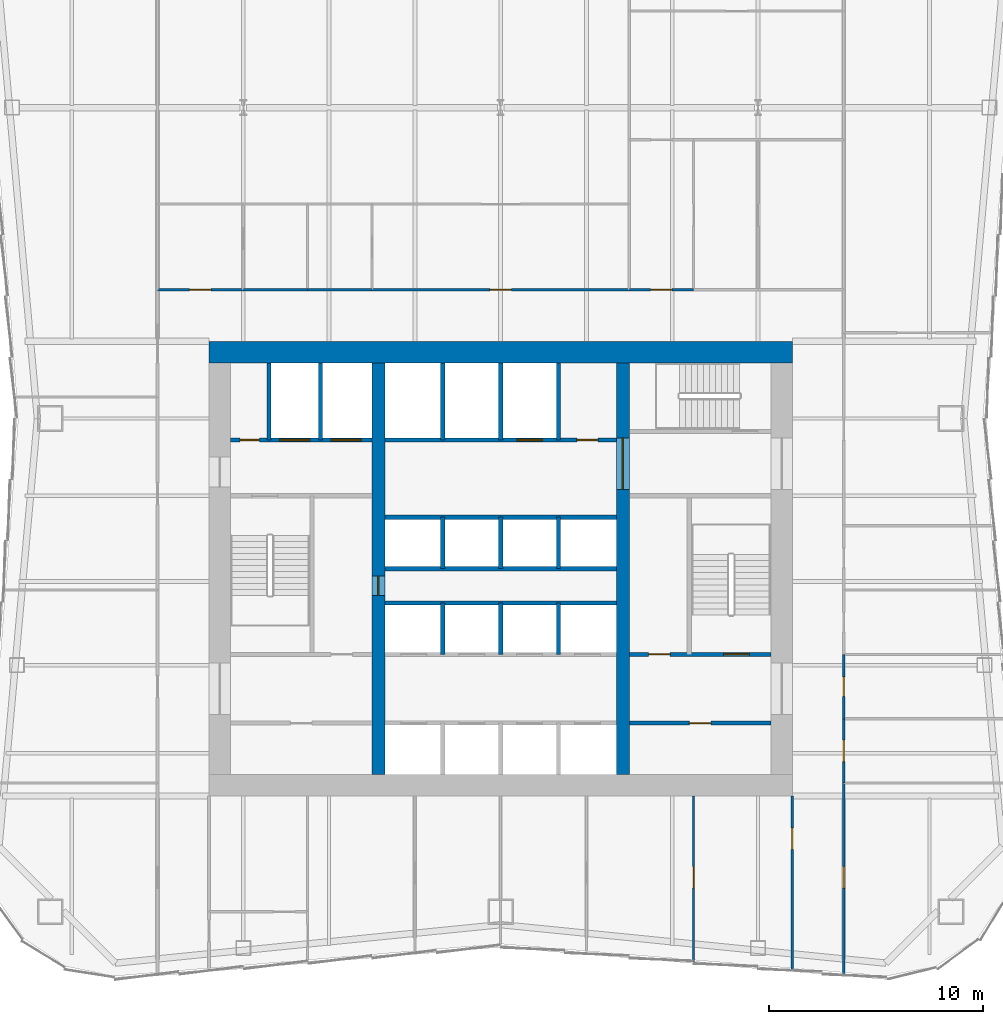
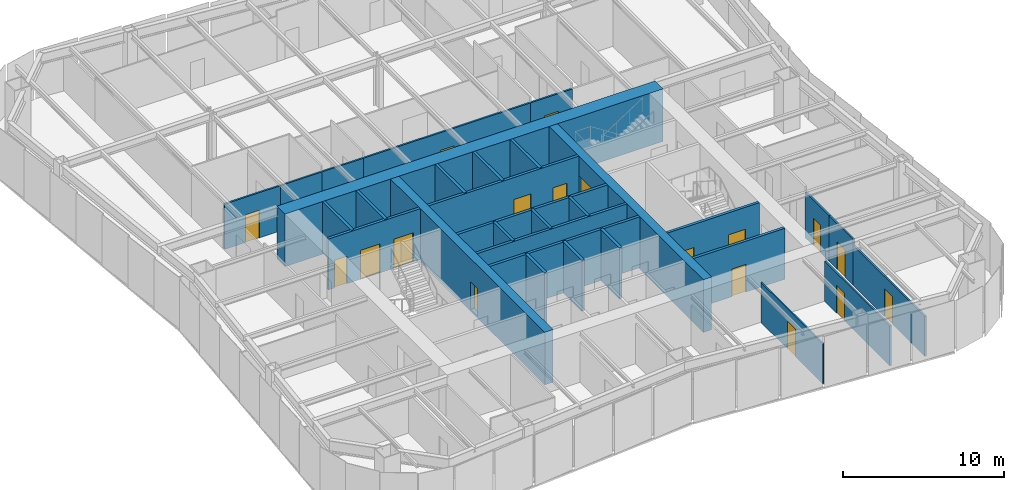
# One storey, part 5 of 8: 31 walls, 18 doors, 18 openings.
"""IFC4 building model written with IfcOpenShell, lengths in metres."""

from ifc_helpers import new_model, si_unit, direction, frame, frame_2d, origin, place, context, subcontext, project, spatial, rectangle, extrude, material, layer, layer_set, type_object, element, fill, save


model = new_model("IFC4")

# Units and contexts
model_context = context("Model", 3, precision=1e-05, world=origin(), true_north=direction((0.0, 1.0)))
body_context = subcontext(model_context, "Body", "Model", "MODEL_VIEW")
ifc_project = project(units=[si_unit("LENGTHUNIT", "METRE"), si_unit("AREAUNIT", "SQUARE_METRE"), si_unit("VOLUMEUNIT", "CUBIC_METRE"), si_unit("PLANEANGLEUNIT", "RADIAN"), si_unit("MASSUNIT", "GRAM", prefix="KILO")], contexts=[model_context])

# Site, building, storey
site_placement = place(None, origin())
site = spatial("IfcSite", under=ifc_project, at=site_placement, CompositionType="ELEMENT")
building_placement = place(site_placement, origin())
building = spatial("IfcBuilding", under=site, at=building_placement, Name="Verdant Reach Tower", CompositionType="ELEMENT")
storey_placement = place(building_placement, frame((0.0, 0.0, 154.0)))
storey = spatial("IfcBuildingStorey", under=building, at=storey_placement, Name="L35", CompositionType="ELEMENT", Elevation=154.0)

# Wall, opening, door
ifc_material_1 = material(Name="Gypsum board on steel studs", Category="steel")
ifc_layer_1 = layer(ifc_material_1, 0.199951171875)
ifc_layer_set_1 = layer_set([ifc_layer_1], Name="CO-WALL-ROOM")
wall_type_1 = type_object("IfcWallType", Name="CO-WALL-ROOM", PredefinedType="PARTITIONING", material=ifc_layer_set_1)
wall_1_placement = place(storey_placement, frame((6.0, 20.800048828125, 0.0), z_axis=(0.0, 0.0, 1.0), x_axis=(1.0, 0.0, 0.0)))
wall_1 = element("IfcWall", 1, at=wall_1_placement, inside=storey, type_object=wall_type_1, Name="Core partition, L35", PredefinedType="PARTITIONING", context=body_context, shape_type="SweptSolid", body=[
    extrude(rectangle(XDim=6.60009765625, YDim=0.199951171875, at=frame_2d((3.300048828125, 0.0))), origin(), (0.0, 0.0, 1.0), 3.8701171875),
])
opening_1_placement = place(wall_1_placement, frame((2.800048828125, 0.0, 0.0)))
opening_1 = element("IfcOpeningElement", 2, at=opening_1_placement, cuts=wall_1, Name="Opening CD", PredefinedType="OPENING", context=body_context, shape_type="SweptSolid", body=[
    extrude(rectangle(XDim=1.0, YDim=2.10009765625, at=frame_2d((0.5, 1.050048828125))), frame((0.0, 0.10986328125, 0.0), z_axis=(0.0, -1.0, 0.0), x_axis=(1.0, 0.0, 0.0)), (0.0, 0.0, 1.0), 0.219970703125),
])
ifc_material_2 = material(Name="Timber", Category="wood")
door_type_1 = type_object("IfcDoorType", Name="CO-DOOR-ROOM", OperationType="NOTDEFINED", PredefinedType="DOOR", material=ifc_material_2)
door_1_placement = place(opening_1_placement, origin())
door_1 = element("IfcDoor", 3, at=door_1_placement, inside=storey, type_object=door_type_1, Name="Core room door, L35", OperationType="SINGLE_SWING_RIGHT", OverallHeight=2.10009765625, OverallWidth=1.0, PredefinedType="DOOR", context=body_context, shape_type="SweptSolid", body=[
    extrude(rectangle(XDim=1.0, YDim=2.10009765625, at=frame_2d((0.5, 1.050048828125))), frame((0.0, 0.02490234375, 0.0), z_axis=(0.0, -1.0, 0.0), x_axis=(1.0, 0.0, 0.0)), (0.0, 0.0, 1.0), 0.050048828125),
])
fill(opening_1, door_1)

# Walls
ifc_material_3 = material(Name="Concrete C40/50", Category="concrete")
ifc_layer_2 = layer(ifc_material_3, 0.199951171875)
ifc_layer_set_2 = layer_set([ifc_layer_2], Name="CO-WALL-SHAFT")
wall_type_2 = type_object("IfcWallType", Name="CO-WALL-SHAFT", PredefinedType="PARTITIONING", material=ifc_layer_set_2)
for number, where, z_axis, x_axis, name in (
    (4, (-5.39990234375, 26.39990234375, 0.0), (0.0, 0.0, 1.0), (1.0, 0.0, 0.0), "Lift shaft wall, L35"),
    (5, (-5.39990234375, 28.0, 0.0), (0.0, 0.0, 1.0), (1.0, 0.0, 0.0), "Lift shaft wall, L35"),
    (6, (-5.39990234375, 30.39990234375, 0.0), (0.0, 0.0, 1.0), (1.0, 0.0, 0.0), "Lift shaft wall, L35"),
):
    element("IfcWall", number, at=place(storey_placement, frame(where, z_axis=z_axis, x_axis=x_axis)), inside=storey, type_object=wall_type_2, Name=name, PredefinedType="PARTITIONING", context=body_context, shape_type="SweptSolid", body=[
        extrude(rectangle(XDim=10.7998046875, YDim=0.199951171875, at=frame_2d((5.39990234375, 0.0))), origin(), (0.0, 0.0, 1.0), 3.8701171875),
    ])

# Wall, openings, doors
wall_2_placement = place(storey_placement, frame((-12.60009765625, 34.0, 0.0), z_axis=(0.0, 0.0, 1.0), x_axis=(1.0, 0.0, 0.0)))
wall_2 = element("IfcWall", 7, at=wall_2_placement, inside=storey, type_object=wall_type_2, Name="Lift shaft wall, L35", PredefinedType="PARTITIONING", context=body_context, shape_type="SweptSolid", body=[
    extrude(rectangle(XDim=6.60009765625, YDim=0.199951171875, at=frame_2d((3.300048828125, 0.0))), origin(), (0.0, 0.0, 1.0), 3.8701171875),
])
opening_2_placement = place(wall_2_placement, frame((4.699951171875, 0.0, 0.0)))
opening_2 = element("IfcOpeningElement", 8, at=opening_2_placement, cuts=wall_2, Name="Opening LD-F1", PredefinedType="OPENING", context=body_context, shape_type="SweptSolid", body=[
    extrude(rectangle(XDim=1.39990234375, YDim=2.199951171875, at=frame_2d((0.699951171875, 1.10009765625))), frame((0.0, 0.10986328125, 0.0), z_axis=(0.0, -1.0, 0.0), x_axis=(1.0, 0.0, 0.0)), (0.0, 0.0, 1.0), 0.219970703125),
])
opening_3_placement = place(wall_2_placement, frame((2.300048828125, 0.0, 0.0)))
opening_3 = element("IfcOpeningElement", 9, at=opening_3_placement, cuts=wall_2, Name="Opening LD-F2", PredefinedType="OPENING", context=body_context, shape_type="SweptSolid", body=[
    extrude(rectangle(XDim=1.39990234375, YDim=2.199951171875, at=frame_2d((0.699951171875, 1.10009765625))), frame((0.0, 0.10986328125, 0.0), z_axis=(0.0, -1.0, 0.0), x_axis=(1.0, 0.0, 0.0)), (0.0, 0.0, 1.0), 0.219970703125),
])
opening_4_placement = place(wall_2_placement, frame((0.449951171875, 0.0, 0.0)))
opening_4 = element("IfcOpeningElement", 10, at=opening_4_placement, cuts=wall_2, Name="Opening RD", PredefinedType="OPENING", context=body_context, shape_type="SweptSolid", body=[
    extrude(rectangle(XDim=0.89990234375, YDim=2.10009765625, at=frame_2d((0.449951171875, 1.050048828125))), frame((0.0, 0.10986328125, 0.0), z_axis=(0.0, -1.0, 0.0), x_axis=(1.0, 0.0, 0.0)), (0.0, 0.0, 1.0), 0.219970703125),
])
ifc_material_4 = material(Name="Stainless steel", Category="steel")
door_type_2 = type_object("IfcDoorType", Name="CO-DOOR-LANDING-FF", OperationType="SLIDING_TO_LEFT", PredefinedType="DOOR", material=ifc_material_4)
door_2_placement = place(opening_2_placement, origin())
door_2 = element("IfcDoor", 11, at=door_2_placement, inside=storey, type_object=door_type_2, Name="Landing door F1, L35", OperationType="SLIDING_TO_LEFT", OverallHeight=2.199951171875, OverallWidth=1.39990234375, PredefinedType="DOOR", context=body_context, shape_type="SweptSolid", body=[
    extrude(rectangle(XDim=1.39990234375, YDim=2.199951171875, at=frame_2d((0.699951171875, 1.10009765625))), frame((0.0, 0.02490234375, 0.0), z_axis=(0.0, -1.0, 0.0), x_axis=(1.0, 0.0, 0.0)), (0.0, 0.0, 1.0), 0.050048828125),
])
fill(opening_2, door_2)
door_3_placement = place(opening_3_placement, origin())
door_3 = element("IfcDoor", 12, at=door_3_placement, inside=storey, type_object=door_type_2, Name="Landing door F2, L35", OperationType="SLIDING_TO_LEFT", OverallHeight=2.199951171875, OverallWidth=1.39990234375, PredefinedType="DOOR", context=body_context, shape_type="SweptSolid", body=[
    extrude(rectangle(XDim=1.39990234375, YDim=2.199951171875, at=frame_2d((0.699951171875, 1.10009765625))), frame((0.0, 0.02490234375, 0.0), z_axis=(0.0, -1.0, 0.0), x_axis=(1.0, 0.0, 0.0)), (0.0, 0.0, 1.0), 0.050048828125),
])
fill(opening_3, door_3)
ifc_material_5 = material(Name="Steel", Category="steel")
door_type_3 = type_object("IfcDoorType", Name="CO-DOOR-RISER", OperationType="NOTDEFINED", PredefinedType="DOOR", material=ifc_material_5)
door_4_placement = place(opening_4_placement, origin())
door_4 = element("IfcDoor", 13, at=door_4_placement, inside=storey, type_object=door_type_3, Name="Core room door, L35", OperationType="SINGLE_SWING_RIGHT", OverallHeight=2.10009765625, OverallWidth=0.89990234375, PredefinedType="DOOR", context=body_context, shape_type="SweptSolid", body=[
    extrude(rectangle(XDim=0.89990234375, YDim=2.10009765625, at=frame_2d((0.449951171875, 1.050048828125))), frame((0.0, 0.02490234375, 0.0), z_axis=(0.0, -1.0, 0.0), x_axis=(1.0, 0.0, 0.0)), (0.0, 0.0, 1.0), 0.050048828125),
])
fill(opening_4, door_4)

wall_3_placement = place(storey_placement, frame((-5.39990234375, 34.0, 0.0), z_axis=(0.0, 0.0, 1.0), x_axis=(1.0, 0.0, 0.0)))
wall_3 = element("IfcWall", 14, at=wall_3_placement, inside=storey, type_object=wall_type_2, Name="Lift shaft wall, L35", PredefinedType="PARTITIONING", context=body_context, shape_type="SweptSolid", body=[
    extrude(rectangle(XDim=10.7998046875, YDim=0.199951171875, at=frame_2d((5.39990234375, 0.0))), origin(), (0.0, 0.0, 1.0), 3.8701171875),
])
opening_5_placement = place(wall_3_placement, frame((6.14990234375, 0.0, 0.0)))
opening_5 = element("IfcOpeningElement", 15, at=opening_5_placement, cuts=wall_3, Name="Opening LD-SL1", PredefinedType="OPENING", context=body_context, shape_type="SweptSolid", body=[
    extrude(rectangle(XDim=1.199951171875, YDim=2.199951171875, at=frame_2d((0.60009765625, 1.10009765625))), frame((0.0, 0.10986328125, 0.0), z_axis=(0.0, -1.0, 0.0), x_axis=(1.0, 0.0, 0.0)), (0.0, 0.0, 1.0), 0.219970703125),
])
opening_6_placement = place(wall_3_placement, frame((8.949951171875, 0.0, 0.0)))
opening_6 = element("IfcOpeningElement", 16, at=opening_6_placement, cuts=wall_3, Name="Opening CD", PredefinedType="OPENING", context=body_context, shape_type="SweptSolid", body=[
    extrude(rectangle(XDim=1.0, YDim=2.10009765625, at=frame_2d((0.5, 1.050048828125))), frame((0.0, 0.10986328125, 0.0), z_axis=(0.0, -1.0, 0.0), x_axis=(1.0, 0.0, 0.0)), (0.0, 0.0, 1.0), 0.219970703125),
])
door_type_4 = type_object("IfcDoorType", Name="CO-DOOR-LANDING", OperationType="SLIDING_TO_LEFT", PredefinedType="DOOR", material=ifc_material_4)
door_5_placement = place(opening_5_placement, origin())
door_5 = element("IfcDoor", 17, at=door_5_placement, inside=storey, type_object=door_type_4, Name="Landing door SL1, L35", OperationType="SLIDING_TO_LEFT", OverallHeight=2.199951171875, OverallWidth=1.199951171875, PredefinedType="DOOR", context=body_context, shape_type="SweptSolid", body=[
    extrude(rectangle(XDim=1.199951171875, YDim=2.199951171875, at=frame_2d((0.60009765625, 1.10009765625))), frame((0.0, 0.02490234375, 0.0), z_axis=(0.0, -1.0, 0.0), x_axis=(1.0, 0.0, 0.0)), (0.0, 0.0, 1.0), 0.050048828125),
])
fill(opening_5, door_5)
door_6_placement = place(opening_6_placement, origin())
door_6 = element("IfcDoor", 18, at=door_6_placement, inside=storey, type_object=door_type_1, Name="Core room door, L35", OperationType="SINGLE_SWING_LEFT", OverallHeight=2.10009765625, OverallWidth=1.0, PredefinedType="DOOR", context=body_context, shape_type="SweptSolid", body=[
    extrude(rectangle(XDim=1.0, YDim=2.10009765625, at=frame_2d((0.5, 1.050048828125))), frame((0.0, 0.02490234375, 0.0), z_axis=(0.0, -1.0, 0.0), x_axis=(1.0, 0.0, 0.0)), (0.0, 0.0, 1.0), 0.050048828125),
])
fill(opening_6, door_6)

# Walls
for number, where, z_axis, x_axis, name in (
    (19, (-10.800048828125, 34.0, 0.0), (0.0, 0.0, 1.0), (0.0, 1.0, 0.0), "Lift shaft wall, L35"),
    (20, (-8.39990234375, 34.0, 0.0), (0.0, 0.0, 1.0), (0.0, 1.0, 0.0), "Lift shaft wall, L35"),
):
    element("IfcWall", number, at=place(storey_placement, frame(where, z_axis=z_axis, x_axis=x_axis)), inside=storey, type_object=wall_type_2, Name=name, PredefinedType="PARTITIONING", context=body_context, shape_type="SweptSolid", body=[
        extrude(rectangle(XDim=3.60009765625, YDim=0.199951171875, at=frame_2d((1.800048828125, 0.0))), origin(), (0.0, 0.0, 1.0), 3.8701171875),
    ])
for number, where, z_axis, x_axis, name in (
    (21, (-2.699951171875, 24.0, 0.0), (0.0, 0.0, 1.0), (0.0, 1.0, 0.0), "Lift shaft wall, L35"),
    (22, (-2.699951171875, 28.0, 0.0), (0.0, 0.0, 1.0), (0.0, 1.0, 0.0), "Lift shaft wall, L35"),
):
    element("IfcWall", number, at=place(storey_placement, frame(where, z_axis=z_axis, x_axis=x_axis)), inside=storey, type_object=wall_type_2, Name=name, PredefinedType="PARTITIONING", context=body_context, shape_type="SweptSolid", body=[
        extrude(rectangle(XDim=2.39990234375, YDim=0.199951171875, at=frame_2d((1.199951171875, 0.0))), origin(), (0.0, 0.0, 1.0), 3.8701171875),
    ])
wall_4_placement = place(storey_placement, frame((-2.699951171875, 34.0, 0.0), z_axis=(0.0, 0.0, 1.0), x_axis=(0.0, 1.0, 0.0)))
element("IfcWall", 23, at=wall_4_placement, inside=storey, type_object=wall_type_2, Name="Lift shaft wall, L35", PredefinedType="PARTITIONING", context=body_context, shape_type="SweptSolid", body=[
    extrude(rectangle(XDim=3.60009765625, YDim=0.199951171875, at=frame_2d((1.800048828125, 0.0))), origin(), (0.0, 0.0, 1.0), 3.8701171875),
])
for number, where, z_axis, x_axis, name in (
    (24, (0.0, 24.0, 0.0), (0.0, 0.0, 1.0), (0.0, 1.0, 0.0), "Lift shaft wall, L35"),
    (25, (0.0, 28.0, 0.0), (0.0, 0.0, 1.0), (0.0, 1.0, 0.0), "Lift shaft wall, L35"),
):
    element("IfcWall", number, at=place(storey_placement, frame(where, z_axis=z_axis, x_axis=x_axis)), inside=storey, type_object=wall_type_2, Name=name, PredefinedType="PARTITIONING", context=body_context, shape_type="SweptSolid", body=[
        extrude(rectangle(XDim=2.39990234375, YDim=0.199951171875, at=frame_2d((1.199951171875, 0.0))), origin(), (0.0, 0.0, 1.0), 3.8701171875),
    ])
wall_5_placement = place(storey_placement, frame((0.0, 34.0, 0.0), z_axis=(0.0, 0.0, 1.0), x_axis=(0.0, 1.0, 0.0)))
element("IfcWall", 26, at=wall_5_placement, inside=storey, type_object=wall_type_2, Name="Lift shaft wall, L35", PredefinedType="PARTITIONING", context=body_context, shape_type="SweptSolid", body=[
    extrude(rectangle(XDim=3.60009765625, YDim=0.199951171875, at=frame_2d((1.800048828125, 0.0))), origin(), (0.0, 0.0, 1.0), 3.8701171875),
])
for number, where, z_axis, x_axis, name in (
    (27, (2.699951171875, 24.0, 0.0), (0.0, 0.0, 1.0), (0.0, 1.0, 0.0), "Lift shaft wall, L35"),
    (28, (2.699951171875, 28.0, 0.0), (0.0, 0.0, 1.0), (0.0, 1.0, 0.0), "Lift shaft wall, L35"),
):
    element("IfcWall", number, at=place(storey_placement, frame(where, z_axis=z_axis, x_axis=x_axis)), inside=storey, type_object=wall_type_2, Name=name, PredefinedType="PARTITIONING", context=body_context, shape_type="SweptSolid", body=[
        extrude(rectangle(XDim=2.39990234375, YDim=0.199951171875, at=frame_2d((1.199951171875, 0.0))), origin(), (0.0, 0.0, 1.0), 3.8701171875),
    ])
wall_6_placement = place(storey_placement, frame((2.699951171875, 34.0, 0.0), z_axis=(0.0, 0.0, 1.0), x_axis=(0.0, 1.0, 0.0)))
element("IfcWall", 29, at=wall_6_placement, inside=storey, type_object=wall_type_2, Name="Lift shaft wall, L35", PredefinedType="PARTITIONING", context=body_context, shape_type="SweptSolid", body=[
    extrude(rectangle(XDim=3.60009765625, YDim=0.199951171875, at=frame_2d((1.800048828125, 0.0))), origin(), (0.0, 0.0, 1.0), 3.8701171875),
])

# Wall, openings, doors
ifc_layer_3 = layer(ifc_material_3, 0.199951171875)
ifc_layer_set_3 = layer_set([ifc_layer_3], Name="CO-WALL-STAIR")
wall_type_3 = type_object("IfcWallType", Name="CO-WALL-STAIR", PredefinedType="PARTITIONING", material=ifc_layer_set_3)
wall_7_placement = place(storey_placement, frame((6.0, 24.0, 0.0), z_axis=(0.0, 0.0, 1.0), x_axis=(1.0, 0.0, 0.0)))
wall_7 = element("IfcWall", 30, at=wall_7_placement, inside=storey, type_object=wall_type_3, Name="Stair enclosure wall, L35", PredefinedType="PARTITIONING", context=body_context, shape_type="SweptSolid", body=[
    extrude(rectangle(XDim=6.60009765625, YDim=0.199951171875, at=frame_2d((3.300048828125, 0.0))), origin(), (0.0, 0.0, 1.0), 3.8701171875),
])
opening_7_placement = place(wall_7_placement, frame((0.89990234375, 0.0, 0.0)))
opening_7 = element("IfcOpeningElement", 31, at=opening_7_placement, cuts=wall_7, Name="Opening CD", PredefinedType="OPENING", context=body_context, shape_type="SweptSolid", body=[
    extrude(rectangle(XDim=1.0, YDim=2.10009765625, at=frame_2d((0.5, 1.050048828125))), frame((0.0, 0.10986328125, 0.0), z_axis=(0.0, -1.0, 0.0), x_axis=(1.0, 0.0, 0.0)), (0.0, 0.0, 1.0), 0.219970703125),
])
opening_8_placement = place(wall_7_placement, frame((4.39990234375, 0.0, 0.0)))
opening_8 = element("IfcOpeningElement", 32, at=opening_8_placement, cuts=wall_7, Name="Opening SD", PredefinedType="OPENING", context=body_context, shape_type="SweptSolid", body=[
    extrude(rectangle(XDim=1.199951171875, YDim=2.199951171875, at=frame_2d((0.60009765625, 1.10009765625))), frame((0.0, 0.10986328125, 0.0), z_axis=(0.0, -1.0, 0.0), x_axis=(1.0, 0.0, 0.0)), (0.0, 0.0, 1.0), 0.219970703125),
])
door_7_placement = place(opening_7_placement, origin())
door_7 = element("IfcDoor", 33, at=door_7_placement, inside=storey, type_object=door_type_1, Name="Core room door, L35", OperationType="SINGLE_SWING_LEFT", OverallHeight=2.10009765625, OverallWidth=1.0, PredefinedType="DOOR", context=body_context, shape_type="SweptSolid", body=[
    extrude(rectangle(XDim=1.0, YDim=2.10009765625, at=frame_2d((0.5, 1.050048828125))), frame((0.0, 0.02490234375, 0.0), z_axis=(0.0, -1.0, 0.0), x_axis=(1.0, 0.0, 0.0)), (0.0, 0.0, 1.0), 0.050048828125),
])
fill(opening_7, door_7)
door_type_5 = type_object("IfcDoorType", Name="CO-DOOR-STAIR", OperationType="NOTDEFINED", PredefinedType="DOOR", material=ifc_material_5)
door_8_placement = place(opening_8_placement, origin())
door_8 = element("IfcDoor", 34, at=door_8_placement, inside=storey, type_object=door_type_5, Name="Stair door, L35", OperationType="SINGLE_SWING_LEFT", OverallHeight=2.199951171875, OverallWidth=1.199951171875, PredefinedType="DOOR", context=body_context, shape_type="SweptSolid", body=[
    extrude(rectangle(XDim=1.199951171875, YDim=2.199951171875, at=frame_2d((0.60009765625, 1.10009765625))), frame((0.0, 0.02490234375, 0.0), z_axis=(0.0, -1.0, 0.0), x_axis=(1.0, 0.0, 0.0)), (0.0, 0.0, 1.0), 0.050048828125),
])
fill(opening_8, door_8)

# Wall, opening, door
ifc_layer_4 = layer(ifc_material_1, 0.10009765625)
ifc_layer_set_4 = layer_set([ifc_layer_4], Name="FL-W1 Partition 100")
wall_type_4 = type_object("IfcWallType", Name="FL-W1 Partition 100", PredefinedType="PARTITIONING", material=ifc_layer_set_4)
wall_8_placement = place(storey_placement, frame((9.0, 9.669921875, 0.0), z_axis=(0.0, 0.0, 1.0), x_axis=(0.0, 1.0, 0.0)))
wall_8 = element("IfcWall", 35, at=wall_8_placement, inside=storey, type_object=wall_type_4, Name="Partition 35.42", PredefinedType="PARTITIONING", context=body_context, shape_type="SweptSolid", body=[
    extrude(rectangle(XDim=7.72998046875, YDim=0.10009765625, at=frame_2d((3.864990234375, 0.0))), origin(), (0.0, 0.0, 1.0), 3.0400390625),
])
opening_9_placement = place(wall_8_placement, frame((3.43017578125, 0.0, 0.0)))
opening_9 = element("IfcOpeningElement", 36, at=opening_9_placement, cuts=wall_8, Name="Opening D3", PredefinedType="OPENING", context=body_context, shape_type="SweptSolid", body=[
    extrude(rectangle(XDim=1.0, YDim=2.10009765625, at=frame_2d((0.5, 1.050048828125))), frame((0.0, 0.06005859375, 0.0), z_axis=(0.0, -1.0, 0.0), x_axis=(1.0, 0.0, 0.0)), (0.0, 0.0, 1.0), 0.1201171875),
])
ifc_material_6 = material(Name="Painted timber door leaf", Category="wood")
door_type_6 = type_object("IfcDoorType", Name="FL-D3 Door 1000x2100", OperationType="NOTDEFINED", PredefinedType="DOOR", material=ifc_material_6)
door_9_placement = place(opening_9_placement, origin())
door_9 = element("IfcDoor", 37, at=door_9_placement, inside=storey, type_object=door_type_6, Name="Door 35-020", OperationType="SINGLE_SWING_RIGHT", OverallHeight=2.10009765625, OverallWidth=1.0, PredefinedType="DOOR", context=body_context, shape_type="SweptSolid", body=[
    extrude(rectangle(XDim=1.0, YDim=2.10009765625, at=frame_2d((0.5, 1.050048828125))), frame((0.0, 0.02490234375, 0.0), z_axis=(0.0, -1.0, 0.0), x_axis=(1.0, 0.0, 0.0)), (0.0, 0.0, 1.0), 0.050048828125),
])
fill(opening_9, door_9)

ifc_material_7 = material(Name="Gypsum board on steel studs, fire rated", Category="steel")
ifc_layer_5 = layer(ifc_material_7, 0.125)
ifc_layer_set_5 = layer_set([ifc_layer_5], Name="FL-W2 Corridor wall 125")
wall_type_5 = type_object("IfcWallType", Name="FL-W2 Corridor wall 125", PredefinedType="PARTITIONING", material=ifc_layer_set_5)
wall_9_placement = place(storey_placement, frame((16.0, 9.086669921875, 0.0), z_axis=(0.0, 0.0, 1.0), x_axis=(0.0, 1.0, 0.0)))
wall_9 = element("IfcWall", 38, at=wall_9_placement, inside=storey, type_object=wall_type_5, Name="Partition 35.05", PredefinedType="PARTITIONING", context=body_context, shape_type="SweptSolid", body=[
    extrude(rectangle(XDim=8.913330078125, YDim=0.125, at=frame_2d((4.45654296875, 0.0))), origin(), (0.0, 0.0, 1.0), 3.0400390625),
])
opening_10_placement = place(wall_9_placement, frame((4.021728515625, 0.0, 0.0)))
opening_10 = element("IfcOpeningElement", 39, at=opening_10_placement, cuts=wall_9, Name="Opening D2", PredefinedType="OPENING", context=body_context, shape_type="SweptSolid", body=[
    extrude(rectangle(XDim=1.0, YDim=2.10009765625, at=frame_2d((0.5, 1.050048828125))), frame((0.0, 0.072509765625, 0.0), z_axis=(0.0, -1.0, 0.0), x_axis=(1.0, 0.0, 0.0)), (0.0, 0.0, 1.0), 0.14501953125),
])
ifc_material_8 = material(Name="Timber door leaf, fire rated", Category="wood")
door_type_7 = type_object("IfcDoorType", Name="FL-D2 Entrance door 1000x2100 FD30", OperationType="NOTDEFINED", PredefinedType="DOOR", material=ifc_material_8)
door_10_placement = place(opening_10_placement, origin())
door_10 = element("IfcDoor", 40, at=door_10_placement, inside=storey, type_object=door_type_7, Name="Door 35-005", OperationType="SINGLE_SWING_RIGHT", OverallHeight=2.10009765625, OverallWidth=1.0, PredefinedType="DOOR", context=body_context, shape_type="SweptSolid", body=[
    extrude(rectangle(XDim=1.0, YDim=2.10009765625, at=frame_2d((0.5, 1.050048828125))), frame((0.0, 0.02490234375, 0.0), z_axis=(0.0, -1.0, 0.0), x_axis=(1.0, 0.0, 0.0)), (0.0, 0.0, 1.0), 0.050048828125),
])
fill(opening_10, door_10)

wall_10_placement = place(storey_placement, frame((16.0, 21.0, 0.0), z_axis=(0.0, 0.0, 1.0), x_axis=(0.0, -1.0, 0.0)))
wall_10 = element("IfcWall", 41, at=wall_10_placement, inside=storey, type_object=wall_type_5, Name="Partition 35.06", PredefinedType="PARTITIONING", context=body_context, shape_type="SweptSolid", body=[
    extrude(rectangle(XDim=3.0, YDim=0.125, at=frame_2d((1.5, 0.0))), origin(), (0.0, 0.0, 1.0), 3.47998046875),
])
opening_11_placement = place(wall_10_placement, frame((1.0, 0.0, 0.0)))
opening_11 = element("IfcOpeningElement", 42, at=opening_11_placement, cuts=wall_10, Name="Opening D2", PredefinedType="OPENING", context=body_context, shape_type="SweptSolid", body=[
    extrude(rectangle(XDim=1.0, YDim=2.10009765625, at=frame_2d((0.5, 1.050048828125))), frame((0.0, 0.072509765625, 0.0), z_axis=(0.0, -1.0, 0.0), x_axis=(1.0, 0.0, 0.0)), (0.0, 0.0, 1.0), 0.14501953125),
])
door_11_placement = place(opening_11_placement, origin())
door_11 = element("IfcDoor", 43, at=door_11_placement, inside=storey, type_object=door_type_7, Name="Door 35-006", OperationType="SINGLE_SWING_RIGHT", OverallHeight=2.10009765625, OverallWidth=1.0, PredefinedType="DOOR", context=body_context, shape_type="SweptSolid", body=[
    extrude(rectangle(XDim=1.0, YDim=2.10009765625, at=frame_2d((0.5, 1.050048828125))), frame((0.0, 0.02490234375, 0.0), z_axis=(0.0, -1.0, 0.0), x_axis=(1.0, 0.0, 0.0)), (0.0, 0.0, 1.0), 0.050048828125),
])
fill(opening_11, door_11)

wall_11_placement = place(storey_placement, frame((16.0, 24.0, 0.0), z_axis=(0.0, 0.0, 1.0), x_axis=(0.0, -1.0, 0.0)))
wall_11 = element("IfcWall", 44, at=wall_11_placement, inside=storey, type_object=wall_type_5, Name="Partition 35.07", PredefinedType="PARTITIONING", context=body_context, shape_type="SweptSolid", body=[
    extrude(rectangle(XDim=3.0, YDim=0.125, at=frame_2d((1.5, 0.0))), origin(), (0.0, 0.0, 1.0), 3.47998046875),
])
opening_12_placement = place(wall_11_placement, frame((1.050048828125, 0.0, 0.0)))
opening_12 = element("IfcOpeningElement", 45, at=opening_12_placement, cuts=wall_11, Name="Opening D1", PredefinedType="OPENING", context=body_context, shape_type="SweptSolid", body=[
    extrude(rectangle(XDim=0.89990234375, YDim=2.10009765625, at=frame_2d((0.449951171875, 1.050048828125))), frame((0.0, 0.072509765625, 0.0), z_axis=(0.0, -1.0, 0.0), x_axis=(1.0, 0.0, 0.0)), (0.0, 0.0, 1.0), 0.14501953125),
])
door_type_8 = type_object("IfcDoorType", Name="FL-D1 Door 900x2100", OperationType="NOTDEFINED", PredefinedType="DOOR", material=ifc_material_6)
door_12_placement = place(opening_12_placement, origin())
door_12 = element("IfcDoor", 46, at=door_12_placement, inside=storey, type_object=door_type_8, Name="Door 35-007", OperationType="SINGLE_SWING_LEFT", OverallHeight=2.10009765625, OverallWidth=0.89990234375, PredefinedType="DOOR", context=body_context, shape_type="SweptSolid", body=[
    extrude(rectangle(XDim=0.89990234375, YDim=2.10009765625, at=frame_2d((0.449951171875, 1.050048828125))), frame((0.0, 0.02490234375, 0.0), z_axis=(0.0, -1.0, 0.0), x_axis=(1.0, 0.0, 0.0)), (0.0, 0.0, 1.0), 0.050048828125),
])
fill(opening_12, door_12)

wall_12_placement = place(storey_placement, frame((13.60009765625, 9.28662109375, 0.0), z_axis=(0.0, 0.0, 1.0), x_axis=(0.0, 1.0, 0.0)))
wall_12 = element("IfcWall", 47, at=wall_12_placement, inside=storey, type_object=wall_type_5, Name="Partition 35.14", PredefinedType="PARTITIONING", context=body_context, shape_type="SweptSolid", body=[
    extrude(rectangle(XDim=8.11328125, YDim=0.125, at=frame_2d((4.056640625, 0.0))), origin(), (0.0, 0.0, 1.0), 3.0400390625),
])
opening_13_placement = place(wall_12_placement, frame((5.621826171875, 0.0, 0.0)))
opening_13 = element("IfcOpeningElement", 48, at=opening_13_placement, cuts=wall_12, Name="Opening D2", PredefinedType="OPENING", context=body_context, shape_type="SweptSolid", body=[
    extrude(rectangle(XDim=1.0, YDim=2.10009765625, at=frame_2d((0.5, 1.050048828125))), frame((0.0, 0.072509765625, 0.0), z_axis=(0.0, -1.0, 0.0), x_axis=(1.0, 0.0, 0.0)), (0.0, 0.0, 1.0), 0.14501953125),
])
door_13_placement = place(opening_13_placement, origin())
door_13 = element("IfcDoor", 49, at=door_13_placement, inside=storey, type_object=door_type_7, Name="Door 35-012", OperationType="SINGLE_SWING_RIGHT", OverallHeight=2.10009765625, OverallWidth=1.0, PredefinedType="DOOR", context=body_context, shape_type="SweptSolid", body=[
    extrude(rectangle(XDim=1.0, YDim=2.10009765625, at=frame_2d((0.5, 1.050048828125))), frame((0.0, 0.02490234375, 0.0), z_axis=(0.0, -1.0, 0.0), x_axis=(1.0, 0.0, 0.0)), (0.0, 0.0, 1.0), 0.050048828125),
])
fill(opening_13, door_13)

wall_13_placement = place(storey_placement, frame((-16.0, 41.0, 0.0), z_axis=(0.0, 0.0, 1.0), x_axis=(1.0, 0.0, 0.0)))
wall_13 = element("IfcWall", 50, at=wall_13_placement, inside=storey, type_object=wall_type_5, Name="Partition 35.15", PredefinedType="PARTITIONING", context=body_context, shape_type="SweptSolid", body=[
    extrude(rectangle(XDim=4.0, YDim=0.125, at=frame_2d((2.0, 0.0))), origin(), (0.0, 0.0, 1.0), 3.43994140625),
])
opening_14_placement = place(wall_13_placement, frame((1.5, 0.0, 0.0)))
opening_14 = element("IfcOpeningElement", 51, at=opening_14_placement, cuts=wall_13, Name="Opening D2", PredefinedType="OPENING", context=body_context, shape_type="SweptSolid", body=[
    extrude(rectangle(XDim=1.0, YDim=2.10009765625, at=frame_2d((0.5, 1.050048828125))), frame((0.0, 0.072509765625, 0.0), z_axis=(0.0, -1.0, 0.0), x_axis=(1.0, 0.0, 0.0)), (0.0, 0.0, 1.0), 0.14501953125),
])
door_14_placement = place(opening_14_placement, origin())
door_14 = element("IfcDoor", 52, at=door_14_placement, inside=storey, type_object=door_type_7, Name="Door 35-013", OperationType="SINGLE_SWING_LEFT", OverallHeight=2.10009765625, OverallWidth=1.0, PredefinedType="DOOR", context=body_context, shape_type="SweptSolid", body=[
    extrude(rectangle(XDim=1.0, YDim=2.10009765625, at=frame_2d((0.5, 1.050048828125))), frame((0.0, 0.02490234375, 0.0), z_axis=(0.0, -1.0, 0.0), x_axis=(1.0, 0.0, 0.0)), (0.0, 0.0, 1.0), 0.050048828125),
])
fill(opening_14, door_14)

# Walls
for number, where, z_axis, x_axis, name in (
    (53, (-9.0, 41.0, 0.0), (0.0, 0.0, 1.0), (-1.0, 0.0, 0.0), "Partition 35.16"),
    (54, (-6.0, 41.0, 0.0), (0.0, 0.0, 1.0), (-1.0, 0.0, 0.0), "Partition 35.17"),
):
    element("IfcWall", number, at=place(storey_placement, frame(where, z_axis=z_axis, x_axis=x_axis)), inside=storey, type_object=wall_type_5, Name=name, PredefinedType="PARTITIONING", context=body_context, shape_type="SweptSolid", body=[
        extrude(rectangle(XDim=3.0, YDim=0.125, at=frame_2d((1.5, 0.0))), origin(), (0.0, 0.0, 1.0), 3.43994140625),
    ])

# Wall, opening, door
wall_14_placement = place(storey_placement, frame((-6.0, 41.0, 0.0), z_axis=(0.0, 0.0, 1.0), x_axis=(1.0, 0.0, 0.0)))
wall_14 = element("IfcWall", 55, at=wall_14_placement, inside=storey, type_object=wall_type_5, Name="Partition 35.18", PredefinedType="PARTITIONING", context=body_context, shape_type="SweptSolid", body=[
    extrude(rectangle(XDim=12.0, YDim=0.125, at=frame_2d((6.0, 0.0))), origin(), (0.0, 0.0, 1.0), 3.43994140625),
])
opening_15_placement = place(wall_14_placement, frame((5.5, 0.0, 0.0)))
opening_15 = element("IfcOpeningElement", 56, at=opening_15_placement, cuts=wall_14, Name="Opening D2", PredefinedType="OPENING", context=body_context, shape_type="SweptSolid", body=[
    extrude(rectangle(XDim=1.0, YDim=2.10009765625, at=frame_2d((0.5, 1.050048828125))), frame((0.0, 0.072509765625, 0.0), z_axis=(0.0, -1.0, 0.0), x_axis=(1.0, 0.0, 0.0)), (0.0, 0.0, 1.0), 0.14501953125),
])
door_15_placement = place(opening_15_placement, origin())
door_15 = element("IfcDoor", 57, at=door_15_placement, inside=storey, type_object=door_type_7, Name="Door 35-014", OperationType="SINGLE_SWING_RIGHT", OverallHeight=2.10009765625, OverallWidth=1.0, PredefinedType="DOOR", context=body_context, shape_type="SweptSolid", body=[
    extrude(rectangle(XDim=1.0, YDim=2.10009765625, at=frame_2d((0.5, 1.050048828125))), frame((0.0, 0.02490234375, 0.0), z_axis=(0.0, -1.0, 0.0), x_axis=(1.0, 0.0, 0.0)), (0.0, 0.0, 1.0), 0.050048828125),
])
fill(opening_15, door_15)

wall_15_placement = place(storey_placement, frame((6.0, 41.0, 0.0), z_axis=(0.0, 0.0, 1.0), x_axis=(1.0, 0.0, 0.0)))
wall_15 = element("IfcWall", 58, at=wall_15_placement, inside=storey, type_object=wall_type_5, Name="Partition 35.19", PredefinedType="PARTITIONING", context=body_context, shape_type="SweptSolid", body=[
    extrude(rectangle(XDim=3.0, YDim=0.125, at=frame_2d((1.5, 0.0))), origin(), (0.0, 0.0, 1.0), 3.43994140625),
])
opening_16_placement = place(wall_15_placement, frame((1.0, 0.0, 0.0)))
opening_16 = element("IfcOpeningElement", 59, at=opening_16_placement, cuts=wall_15, Name="Opening D2", PredefinedType="OPENING", context=body_context, shape_type="SweptSolid", body=[
    extrude(rectangle(XDim=1.0, YDim=2.10009765625, at=frame_2d((0.5, 1.050048828125))), frame((0.0, 0.072509765625, 0.0), z_axis=(0.0, -1.0, 0.0), x_axis=(1.0, 0.0, 0.0)), (0.0, 0.0, 1.0), 0.14501953125),
])
door_16_placement = place(opening_16_placement, origin())
door_16 = element("IfcDoor", 60, at=door_16_placement, inside=storey, type_object=door_type_7, Name="Door 35-015", OperationType="SINGLE_SWING_LEFT", OverallHeight=2.10009765625, OverallWidth=1.0, PredefinedType="DOOR", context=body_context, shape_type="SweptSolid", body=[
    extrude(rectangle(XDim=1.0, YDim=2.10009765625, at=frame_2d((0.5, 1.050048828125))), frame((0.0, 0.02490234375, 0.0), z_axis=(0.0, -1.0, 0.0), x_axis=(1.0, 0.0, 0.0)), (0.0, 0.0, 1.0), 0.050048828125),
])
fill(opening_16, door_16)

# Wall
ifc_material_9 = material(Name="Concrete C70/85", Category="concrete")
ifc_layer_6 = layer(ifc_material_9, 1.0)
ifc_layer_set_6 = layer_set([ifc_layer_6], Name="ST-CORE-WALL-1000")
wall_type_6 = type_object("IfcWallType", Name="ST-CORE-WALL-1000", PredefinedType="SHEAR", material=ifc_layer_set_6)
wall_16_placement = place(storey_placement, frame((-13.60009765625, 38.10009765625, -0.1298828125), z_axis=(0.0, 0.0, 1.0), x_axis=(1.0, 0.0, 0.0)))
element("IfcWall", 61, at=wall_16_placement, inside=storey, type_object=wall_type_6, Name="Core wall N, L35", PredefinedType="SHEAR", context=body_context, shape_type="SweptSolid", body=[
    extrude(rectangle(XDim=27.2001953125, YDim=1.0, at=frame_2d((13.60009765625, 0.0))), origin(), (0.0, 0.0, 1.0), 4.0),
])

# Wall, opening, door
ifc_layer_7 = layer(ifc_material_9, 0.60009765625)
ifc_layer_set_7 = layer_set([ifc_layer_7], Name="ST-CORE-WALL-600")
wall_type_7 = type_object("IfcWallType", Name="ST-CORE-WALL-600", PredefinedType="SHEAR", material=ifc_layer_set_7)
wall_17_placement = place(storey_placement, frame((-5.699951171875, 18.39990234375, -0.1298828125), z_axis=(0.0, 0.0, 1.0), x_axis=(0.0, 1.0, 0.0)))
wall_17 = element("IfcWall", 62, at=wall_17_placement, inside=storey, type_object=wall_type_7, Name="Core wall XW, L35", PredefinedType="SHEAR", context=body_context, shape_type="SweptSolid", body=[
    extrude(rectangle(XDim=19.2001953125, YDim=0.60009765625, at=frame_2d((9.60009765625, 0.0))), origin(), (0.0, 0.0, 1.0), 4.0),
])
opening_17_placement = place(wall_17_placement, frame((8.35009765625, 0.0, 0.1298828125)))
opening_17 = element("IfcOpeningElement", 63, at=opening_17_placement, cuts=wall_17, Name="Opening RD", PredefinedType="OPENING", context=body_context, shape_type="SweptSolid", body=[
    extrude(rectangle(XDim=0.89990234375, YDim=2.10009765625, at=frame_2d((0.449951171875, 1.050048828125))), frame((0.0, 0.31005859375, 0.0), z_axis=(0.0, -1.0, 0.0), x_axis=(1.0, 0.0, 0.0)), (0.0, 0.0, 1.0), 0.6201171875),
])
door_17_placement = place(opening_17_placement, origin())
door_17 = element("IfcDoor", 64, at=door_17_placement, inside=storey, type_object=door_type_3, Name="Riser door, L35", OperationType="SINGLE_SWING_RIGHT", OverallHeight=2.10009765625, OverallWidth=0.89990234375, PredefinedType="DOOR", context=body_context, shape_type="SweptSolid", body=[
    extrude(rectangle(XDim=0.89990234375, YDim=2.10009765625, at=frame_2d((0.449951171875, 1.050048828125))), frame((0.0, 0.02490234375, 0.0), z_axis=(0.0, -1.0, 0.0), x_axis=(1.0, 0.0, 0.0)), (0.0, 0.0, 1.0), 0.050048828125),
])
fill(opening_17, door_17)

wall_18_placement = place(storey_placement, frame((5.699951171875, 18.39990234375, -0.1298828125), z_axis=(0.0, 0.0, 1.0), x_axis=(0.0, 1.0, 0.0)))
wall_18 = element("IfcWall", 65, at=wall_18_placement, inside=storey, type_object=wall_type_7, Name="Core wall XE, L35", PredefinedType="SHEAR", context=body_context, shape_type="SweptSolid", body=[
    extrude(rectangle(XDim=19.2001953125, YDim=0.60009765625, at=frame_2d((9.60009765625, 0.0))), origin(), (0.0, 0.0, 1.0), 4.0),
])
opening_18_placement = place(wall_18_placement, frame((13.300048828125, 0.0, 0.1298828125)))
opening_18 = element("IfcOpeningElement", 66, at=opening_18_placement, cuts=wall_18, Name="Opening LB", PredefinedType="OPENING", context=body_context, shape_type="SweptSolid", body=[
    extrude(rectangle(XDim=2.39990234375, YDim=2.39990234375, at=frame_2d((1.199951171875, 1.199951171875))), frame((0.0, 0.31005859375, 0.0), z_axis=(0.0, -1.0, 0.0), x_axis=(1.0, 0.0, 0.0)), (0.0, 0.0, 1.0), 0.6201171875),
])
ifc_material_10 = material(Name="Glass and steel", Category="steel")
door_type_9 = type_object("IfcDoorType", Name="CO-DOOR-LOBBY", OperationType="DOUBLE_DOOR_SINGLE_SWING", PredefinedType="DOOR", material=ifc_material_10)
door_18_placement = place(opening_18_placement, origin())
door_18 = element("IfcDoor", 67, at=door_18_placement, inside=storey, type_object=door_type_9, Name="Core entrance door, L35", OperationType="DOUBLE_DOOR_SINGLE_SWING", OverallHeight=2.39990234375, OverallWidth=2.39990234375, PredefinedType="DOOR", context=body_context, shape_type="SweptSolid", body=[
    extrude(rectangle(XDim=2.39990234375, YDim=2.39990234375, at=frame_2d((1.199951171875, 1.199951171875))), frame((0.0, 0.02490234375, 0.0), z_axis=(0.0, -1.0, 0.0), x_axis=(1.0, 0.0, 0.0)), (0.0, 0.0, 1.0), 0.050048828125),
])
fill(opening_18, door_18)

save(model, "model.ifc")
